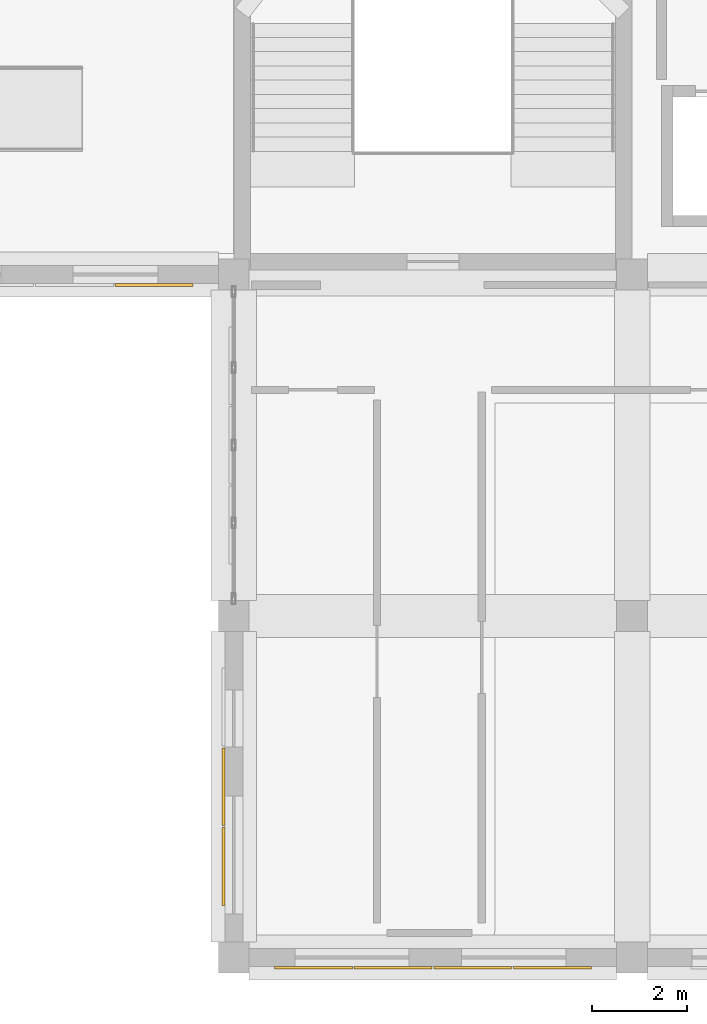
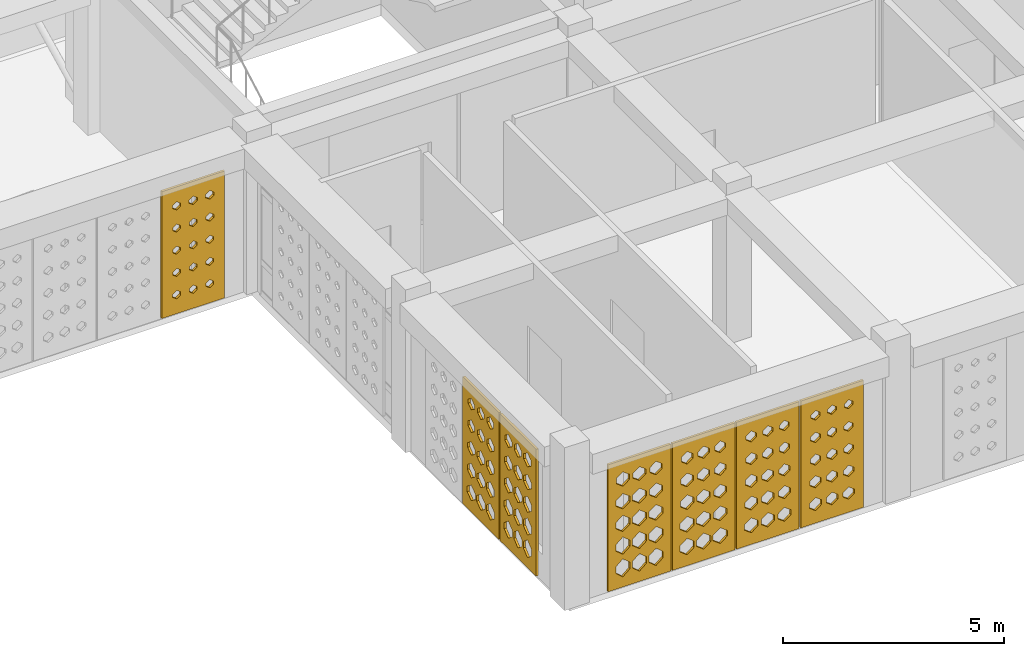
# One storey, part 53 of 79: 7 coverings.
"""IFC4 building model written with IfcOpenShell, lengths in metres."""

from ifc_helpers import new_model, si_unit, derived_unit, direction, frame, origin, place, context, subcontext, project, spatial, polyline, outline, extrude, material, layer, layer_set, type_object, element, save


model = new_model("IFC4")

# Units and contexts
model_context = context("Model", 3, precision=1e-05, world=origin(), true_north=direction((0.0, 1.0)))
body_context = subcontext(model_context, "Body", "Model", "MODEL_VIEW")
ifc_project = project(units=[si_unit("LENGTHUNIT", "METRE"), si_unit("AREAUNIT", "SQUARE_METRE"), si_unit("VOLUMEUNIT", "CUBIC_METRE"), si_unit("PLANEANGLEUNIT", "RADIAN"), si_unit("MASSUNIT", "GRAM", prefix="KILO"), derived_unit("THERMALTRANSMITTANCEUNIT", [(si_unit("POWERUNIT", "WATT"), 1), (si_unit("LENGTHUNIT", "METRE"), -2), (si_unit("THERMODYNAMICTEMPERATUREUNIT", "KELVIN"), -1)])], contexts=[model_context])

# Site, building, storey
site_placement = place(None, origin())
site = spatial("IfcSite", under=ifc_project, at=site_placement, CompositionType="ELEMENT")
building_placement = place(site_placement, origin())
building = spatial("IfcBuilding", under=site, at=building_placement, Name="Veybourne Emporium", CompositionType="ELEMENT")
storey_placement = place(building_placement, frame((0.0, 0.0, 18.89990234375)))
storey = spatial("IfcBuildingStorey", under=building, at=storey_placement, Name="L04", CompositionType="ELEMENT", Elevation=18.89990234375)

# Coverings
ifc_material = material(Name="Warm-White Perforated Aluminium Screen Alloy", Category="aluminium")
ifc_layer_1 = layer(ifc_material, 0.06005859375)
ifc_layer_set_1 = layer_set([ifc_layer_1], Name="Warm-White Perforated Aluminium Screen Alloy")
covering_type_1 = type_object("IfcCoveringType", Name="WaveScreen_SCR-01", PredefinedType="CLADDING", material=ifc_layer_set_1)
covering_1_placement = place(storey_placement, frame((21.840087890625, -0.248046875, 1.815185546875), z_axis=(0.0, 1.0, 0.0), x_axis=(-1.0, 0.0, 0.0)))
element("IfcCovering", 1, at=covering_1_placement, inside=storey, type_object=covering_type_1, Name="L04 wave-perforated aluminium screen SCR-01 (10.2)", PredefinedType="CLADDING", context=body_context, shape_type="SweptSolid", body=[
    extrude(outline(polyline([(-0.81982421875, -1.7548828125), (0.81982421875, -1.7548828125), (0.81982421875, 1.7548828125), (-0.81982421875, 1.7548828125), (-0.81982421875, -1.7548828125)]), holes=[polyline([(-0.433349609375, -1.03564453125), (-0.265869140625, -1.15869140625), (-0.265869140625, -1.29736328125), (-0.433349609375, -1.42041015625), (-0.6005859375, -1.29736328125), (-0.6005859375, -1.15869140625), (-0.433349609375, -1.03564453125)]), polyline([(-0.433349609375, -0.435791015625), (-0.277587890625, -0.5498046875), (-0.277587890625, -0.67822265625), (-0.433349609375, -0.792236328125), (-0.589111328125, -0.67822265625), (-0.589111328125, -0.5498046875), (-0.433349609375, -0.435791015625)]), polyline([(-0.433349609375, 0.16455078125), (-0.288818359375, 0.05908203125), (-0.288818359375, -0.05908203125), (-0.433349609375, -0.16455078125), (-0.577880859375, -0.05908203125), (-0.577880859375, 0.05908203125), (-0.433349609375, 0.16455078125)]), polyline([(-0.433349609375, 0.765625), (-0.29931640625, 0.668701171875), (-0.29931640625, 0.559326171875), (-0.433349609375, 0.46240234375), (-0.5673828125, 0.559326171875), (-0.5673828125, 0.668701171875), (-0.433349609375, 0.765625)]), polyline([(-0.433349609375, 1.367919921875), (-0.308837890625, 1.2783203125), (-0.308837890625, 1.177490234375), (-0.433349609375, 1.087890625), (-0.557861328125, 1.177490234375), (-0.557861328125, 1.2783203125), (-0.433349609375, 1.367919921875)]), polyline([(0.0, -1.029296875), (0.172607421875, -1.156494140625), (0.172607421875, -1.299560546875), (0.0, -1.4267578125), (-0.172607421875, -1.299560546875), (-0.172607421875, -1.156494140625), (0.0, -1.029296875)]), polyline([(0.0, -0.429443359375), (0.1611328125, -0.547607421875), (0.1611328125, -0.680419921875), (0.0, -0.798583984375), (-0.1611328125, -0.680419921875), (-0.1611328125, -0.547607421875), (0.0, -0.429443359375)]), polyline([(0.0, 0.170654296875), (0.149658203125, 0.0615234375), (0.149658203125, -0.0615234375), (0.0, -0.170654296875), (-0.149658203125, -0.0615234375), (-0.149658203125, 0.0615234375), (0.0, 0.170654296875)]), polyline([(0.0, 0.771484375), (0.138916015625, 0.670654296875), (0.138916015625, 0.557373046875), (0.0, 0.45654296875), (-0.138916015625, 0.557373046875), (-0.138916015625, 0.670654296875), (0.0, 0.771484375)]), polyline([(0.0, 1.373291015625), (0.12890625, 1.2802734375), (0.12890625, 1.17578125), (0.0, 1.082763671875), (-0.12890625, 1.17578125), (-0.12890625, 1.2802734375), (0.0, 1.373291015625)]), polyline([(0.433349609375, -1.022705078125), (0.611083984375, -1.154052734375), (0.611083984375, -1.302001953125), (0.433349609375, -1.43310546875), (0.25537109375, -1.302001953125), (0.25537109375, -1.154052734375), (0.433349609375, -1.022705078125)]), polyline([(0.433349609375, -0.4228515625), (0.599609375, -0.545166015625), (0.599609375, -0.682861328125), (0.433349609375, -0.80517578125), (0.26708984375, -0.682861328125), (0.26708984375, -0.545166015625), (0.433349609375, -0.4228515625)]), polyline([(0.433349609375, 0.177001953125), (0.588134765625, 0.063720703125), (0.588134765625, -0.063720703125), (0.433349609375, -0.177001953125), (0.278564453125, -0.063720703125), (0.278564453125, 0.063720703125), (0.433349609375, 0.177001953125)]), polyline([(0.433349609375, 0.77734375), (0.576904296875, 0.6728515625), (0.576904296875, 0.55517578125), (0.433349609375, 0.45068359375), (0.289794921875, 0.55517578125), (0.289794921875, 0.6728515625), (0.433349609375, 0.77734375)]), polyline([(0.433349609375, 1.378662109375), (0.56640625, 1.2822265625), (0.56640625, 1.173828125), (0.433349609375, 1.077392578125), (0.300048828125, 1.173828125), (0.300048828125, 1.2822265625), (0.433349609375, 1.378662109375)])]), origin(), (0.0, 0.0, 1.0), 0.06005859375),
])
covering_2_placement = place(storey_placement, frame((16.552001953125, 1.919921875, 1.815185546875), z_axis=(1.0, 0.0, 0.0), x_axis=(0.0, 1.0, 0.0)))
element("IfcCovering", 2, at=covering_2_placement, inside=storey, type_object=covering_type_1, Name="L04 wave-perforated aluminium screen SCR-01 (11.1)", PredefinedType="CLADDING", context=body_context, shape_type="SweptSolid", body=[
    extrude(outline(polyline([(-0.81982421875, -1.7548828125), (0.81982421875, -1.7548828125), (0.81982421875, 1.7548828125), (-0.81982421875, 1.7548828125), (-0.81982421875, -1.7548828125)]), holes=[polyline([(-0.433349609375, -0.981201171875), (-0.2470703125, -1.13916015625), (-0.2470703125, -1.31689453125), (-0.433349609375, -1.474609375), (-0.61962890625, -1.31689453125), (-0.61962890625, -1.13916015625), (-0.433349609375, -0.981201171875)]), polyline([(-0.433349609375, -0.37890625), (-0.2470703125, -0.529296875), (-0.2470703125, -0.69873046875), (-0.433349609375, -0.84912109375), (-0.61962890625, -0.69873046875), (-0.61962890625, -0.529296875), (-0.433349609375, -0.37890625)]), polyline([(-0.433349609375, 0.222412109375), (-0.2470703125, 0.080078125), (-0.2470703125, -0.080078125), (-0.433349609375, -0.222412109375), (-0.61962890625, -0.080078125), (-0.61962890625, 0.080078125), (-0.433349609375, 0.222412109375)]), polyline([(-0.433349609375, 0.822998046875), (-0.25244140625, 0.689208984375), (-0.25244140625, 0.538818359375), (-0.433349609375, 0.405029296875), (-0.6142578125, 0.538818359375), (-0.6142578125, 0.689208984375), (-0.433349609375, 0.822998046875)]), polyline([(-0.433349609375, 1.4228515625), (-0.263916015625, 1.298095703125), (-0.263916015625, 1.157958984375), (-0.433349609375, 1.033203125), (-0.602783203125, 1.157958984375), (-0.602783203125, 1.298095703125), (-0.433349609375, 1.4228515625)]), polyline([(0.0, -0.986328125), (0.186279296875, -1.14111328125), (0.186279296875, -1.31494140625), (0.0, -1.469482421875), (-0.186279296875, -1.31494140625), (-0.186279296875, -1.14111328125), (0.0, -0.986328125)]), polyline([(0.0, -0.384521484375), (0.186279296875, -0.531494140625), (0.186279296875, -0.696533203125), (0.0, -0.843505859375), (-0.186279296875, -0.696533203125), (-0.186279296875, -0.531494140625), (0.0, -0.384521484375)]), polyline([(0.0, 0.21630859375), (0.186279296875, 0.077880859375), (0.186279296875, -0.077880859375), (0.0, -0.21630859375), (-0.186279296875, -0.077880859375), (-0.186279296875, 0.077880859375), (0.0, 0.21630859375)]), polyline([(0.0, 0.816650390625), (0.17578125, 0.68701171875), (0.17578125, 0.541015625), (0.0, 0.411376953125), (-0.17578125, 0.541015625), (-0.17578125, 0.68701171875), (0.0, 0.816650390625)]), polyline([(0.0, 1.41650390625), (0.164306640625, 1.2958984375), (0.164306640625, 1.16015625), (0.0, 1.03955078125), (-0.164306640625, 1.16015625), (-0.164306640625, 1.2958984375), (0.0, 1.41650390625)]), polyline([(0.433349609375, -0.99169921875), (0.61962890625, -1.142822265625), (0.61962890625, -1.31298828125), (0.433349609375, -1.46435546875), (0.2470703125, -1.31298828125), (0.2470703125, -1.142822265625), (0.433349609375, -0.99169921875)]), polyline([(0.433349609375, -0.390380859375), (0.61962890625, -0.533447265625), (0.61962890625, -0.694580078125), (0.433349609375, -0.837646484375), (0.2470703125, -0.694580078125), (0.2470703125, -0.533447265625), (0.433349609375, -0.390380859375)]), polyline([(0.433349609375, 0.210205078125), (0.615234375, 0.07568359375), (0.615234375, -0.07568359375), (0.433349609375, -0.210205078125), (0.25146484375, -0.07568359375), (0.25146484375, 0.07568359375), (0.433349609375, 0.210205078125)]), polyline([(0.433349609375, 0.810302734375), (0.603759765625, 0.6845703125), (0.603759765625, 0.54345703125), (0.433349609375, 0.417724609375), (0.2626953125, 0.54345703125), (0.2626953125, 0.6845703125), (0.433349609375, 0.810302734375)]), polyline([(0.433349609375, 1.409912109375), (0.59228515625, 1.29345703125), (0.59228515625, 1.16259765625), (0.433349609375, 1.0458984375), (0.2744140625, 1.16259765625), (0.2744140625, 1.29345703125), (0.433349609375, 1.409912109375)])]), origin(), (0.0, 0.0, 1.0), 0.06005859375),
])
ifc_layer_2 = layer(ifc_material, 0.06005859375)
ifc_layer_set_2 = layer_set([ifc_layer_2], Name="Warm-White Perforated Aluminium Screen Alloy")
covering_type_2 = type_object("IfcCoveringType", Name="WaveScreen_SCR-02", PredefinedType="CLADDING", material=ifc_layer_set_2)
covering_3_placement = place(storey_placement, frame((15.1201171875, 14.15185546875, 1.815185546875), z_axis=(0.0, 1.0, 0.0), x_axis=(-1.0, 0.0, 0.0)))
element("IfcCovering", 3, at=covering_3_placement, inside=storey, type_object=covering_type_2, Name="L04 wave-perforated aluminium screen SCR-02 (8.1)", PredefinedType="CLADDING", context=body_context, shape_type="SweptSolid", body=[
    extrude(outline(polyline([(-0.81982421875, -1.7548828125), (0.81982421875, -1.7548828125), (0.81982421875, 1.7548828125), (-0.81982421875, 1.7548828125), (-0.81982421875, -1.7548828125)]), holes=[polyline([(-0.433349609375, -1.11669921875), (-0.332275390625, -1.18798828125), (-0.332275390625, -1.26806640625), (-0.433349609375, -1.33935546875), (-0.534423828125, -1.26806640625), (-0.534423828125, -1.18798828125), (-0.433349609375, -1.11669921875)]), polyline([(-0.433349609375, -0.50390625), (-0.333251953125, -0.574462890625), (-0.333251953125, -0.653564453125), (-0.433349609375, -0.72412109375), (-0.533203125, -0.653564453125), (-0.533203125, -0.574462890625), (-0.433349609375, -0.50390625)]), polyline([(-0.433349609375, 0.111083984375), (-0.33251953125, 0.0400390625), (-0.33251953125, -0.0400390625), (-0.433349609375, -0.111083984375), (-0.5341796875, -0.0400390625), (-0.5341796875, 0.0400390625), (-0.433349609375, 0.111083984375)]), polyline([(-0.433349609375, 0.728515625), (-0.32958984375, 0.6552734375), (-0.32958984375, 0.57275390625), (-0.433349609375, 0.49951171875), (-0.537109375, 0.57275390625), (-0.537109375, 0.6552734375), (-0.433349609375, 0.728515625)]), polyline([(-0.433349609375, 1.34814453125), (-0.324951171875, 1.271240234375), (-0.324951171875, 1.184814453125), (-0.433349609375, 1.10791015625), (-0.54150390625, 1.184814453125), (-0.54150390625, 1.271240234375), (-0.433349609375, 1.34814453125)]), polyline([(0.0, -1.114990234375), (0.102294921875, -1.1875), (0.102294921875, -1.2685546875), (0.0, -1.3408203125), (-0.102294921875, -1.2685546875), (-0.102294921875, -1.1875), (0.0, -1.114990234375)]), polyline([(0.0, -0.503662109375), (0.100341796875, -0.57421875), (0.100341796875, -0.65380859375), (0.0, -0.724365234375), (-0.100341796875, -0.65380859375), (-0.100341796875, -0.57421875), (0.0, -0.503662109375)]), polyline([(0.0, 0.1103515625), (0.10009765625, 0.039794921875), (0.10009765625, -0.039794921875), (0.0, -0.1103515625), (-0.10009765625, -0.039794921875), (-0.10009765625, 0.039794921875), (0.0, 0.1103515625)]), polyline([(0.0, 0.7265625), (0.10205078125, 0.654541015625), (0.10205078125, 0.573486328125), (0.0, 0.50146484375), (-0.10205078125, 0.573486328125), (-0.10205078125, 0.654541015625), (0.0, 0.7265625)]), polyline([(0.0, 1.34521484375), (0.10595703125, 1.270263671875), (0.10595703125, 1.185791015625), (0.0, 1.110595703125), (-0.10595703125, 1.185791015625), (-0.10595703125, 1.270263671875), (0.0, 1.34521484375)]), polyline([(0.433349609375, -1.11328125), (0.537353515625, -1.186767578125), (0.537353515625, -1.269287109375), (0.433349609375, -1.3427734375), (0.329345703125, -1.269287109375), (0.329345703125, -1.186767578125), (0.433349609375, -1.11328125)]), polyline([(0.433349609375, -0.502685546875), (0.5341796875, -0.573974609375), (0.5341796875, -0.654052734375), (0.433349609375, -0.72509765625), (0.332275390625, -0.654052734375), (0.332275390625, -0.573974609375), (0.433349609375, -0.502685546875)]), polyline([(0.433349609375, 0.110107421875), (0.533203125, 0.03955078125), (0.533203125, -0.03955078125), (0.433349609375, -0.110107421875), (0.333251953125, -0.03955078125), (0.333251953125, 0.03955078125), (0.433349609375, 0.110107421875)]), polyline([(0.433349609375, 0.72509765625), (0.5341796875, 0.654052734375), (0.5341796875, 0.573974609375), (0.433349609375, 0.502685546875), (0.332275390625, 0.573974609375), (0.332275390625, 0.654052734375), (0.433349609375, 0.72509765625)]), polyline([(0.433349609375, 1.343017578125), (0.537353515625, 1.269287109375), (0.537353515625, 1.186767578125), (0.433349609375, 1.113037109375), (0.329345703125, 1.186767578125), (0.329345703125, 1.269287109375), (0.433349609375, 1.343017578125)])]), origin(), (0.0, 0.0, 1.0), 0.06005859375),
])
covering_4_placement = place(storey_placement, frame((20.159912109375, -0.248046875, 1.815185546875), z_axis=(0.0, 1.0, 0.0), x_axis=(-1.0, 0.0, 0.0)))
element("IfcCovering", 4, at=covering_4_placement, inside=storey, type_object=covering_type_2, Name="L04 wave-perforated aluminium screen SCR-02 (10.3)", PredefinedType="CLADDING", context=body_context, shape_type="SweptSolid", body=[
    extrude(outline(polyline([(-0.81982421875, -1.7548828125), (0.81982421875, -1.7548828125), (0.81982421875, 1.7548828125), (-0.81982421875, 1.7548828125), (-0.81982421875, -1.7548828125)]), holes=[polyline([(-0.433349609375, -1.010986328125), (-0.2470703125, -1.14990234375), (-0.2470703125, -1.30615234375), (-0.433349609375, -1.44482421875), (-0.61962890625, -1.30615234375), (-0.61962890625, -1.14990234375), (-0.433349609375, -1.010986328125)]), polyline([(-0.433349609375, -0.410888671875), (-0.257080078125, -0.541015625), (-0.257080078125, -0.68701171875), (-0.433349609375, -0.817138671875), (-0.609619140625, -0.68701171875), (-0.609619140625, -0.541015625), (-0.433349609375, -0.410888671875)]), polyline([(-0.433349609375, 0.18896484375), (-0.268798828125, 0.068115234375), (-0.268798828125, -0.068115234375), (-0.433349609375, -0.18896484375), (-0.597900390625, -0.068115234375), (-0.597900390625, 0.068115234375), (-0.433349609375, 0.18896484375)]), polyline([(-0.433349609375, 0.788818359375), (-0.2802734375, 0.677001953125), (-0.2802734375, 0.551025390625), (-0.433349609375, 0.439208984375), (-0.58642578125, 0.551025390625), (-0.58642578125, 0.677001953125), (-0.433349609375, 0.788818359375)]), polyline([(-0.433349609375, 1.389404296875), (-0.291259765625, 1.2861328125), (-0.291259765625, 1.169921875), (-0.433349609375, 1.066650390625), (-0.575439453125, 1.169921875), (-0.575439453125, 1.2861328125), (-0.433349609375, 1.389404296875)]), polyline([(0.0, -1.0048828125), (0.186279296875, -1.147705078125), (0.186279296875, -1.308349609375), (0.0, -1.450927734375), (-0.186279296875, -1.308349609375), (-0.186279296875, -1.147705078125), (0.0, -1.0048828125)]), polyline([(0.0, -0.404541015625), (0.181396484375, -0.53857421875), (0.181396484375, -0.689453125), (0.0, -0.823486328125), (-0.181396484375, -0.689453125), (-0.181396484375, -0.53857421875), (0.0, -0.404541015625)]), polyline([(0.0, 0.1953125), (0.169921875, 0.0703125), (0.169921875, -0.0703125), (0.0, -0.1953125), (-0.169921875, -0.0703125), (-0.169921875, 0.0703125), (0.0, 0.1953125)]), polyline([(0.0, 0.795166015625), (0.158203125, 0.67919921875), (0.158203125, 0.548828125), (0.0, 0.432861328125), (-0.158203125, 0.548828125), (-0.158203125, 0.67919921875), (0.0, 0.795166015625)]), polyline([(0.0, 1.3955078125), (0.14697265625, 1.288330078125), (0.14697265625, 1.167724609375), (0.0, 1.060546875), (-0.14697265625, 1.167724609375), (-0.14697265625, 1.288330078125), (0.0, 1.3955078125)]), polyline([(0.433349609375, -0.9990234375), (0.61962890625, -1.1455078125), (0.61962890625, -1.310302734375), (0.433349609375, -1.456787109375), (0.2470703125, -1.310302734375), (0.2470703125, -1.1455078125), (0.433349609375, -0.9990234375)]), polyline([(0.433349609375, -0.398193359375), (0.61962890625, -0.536376953125), (0.61962890625, -0.691650390625), (0.433349609375, -0.82958984375), (0.2470703125, -0.691650390625), (0.2470703125, -0.536376953125), (0.433349609375, -0.398193359375)]), polyline([(0.433349609375, 0.201904296875), (0.6083984375, 0.072509765625), (0.6083984375, -0.072509765625), (0.433349609375, -0.201904296875), (0.25830078125, -0.072509765625), (0.25830078125, 0.072509765625), (0.433349609375, 0.201904296875)]), polyline([(0.433349609375, 0.801513671875), (0.596923828125, 0.681640625), (0.596923828125, 0.54638671875), (0.433349609375, 0.426513671875), (0.269775390625, 0.54638671875), (0.269775390625, 0.681640625), (0.433349609375, 0.801513671875)]), polyline([(0.433349609375, 1.401611328125), (0.58544921875, 1.29052734375), (0.58544921875, 1.16552734375), (0.433349609375, 1.054443359375), (0.28125, 1.16552734375), (0.28125, 1.29052734375), (0.433349609375, 1.401611328125)])]), origin(), (0.0, 0.0, 1.0), 0.06005859375),
])
covering_5_placement = place(storey_placement, frame((16.552001953125, 3.60009765625, 1.815185546875), z_axis=(1.0, 0.0, 0.0), x_axis=(0.0, 1.0, 0.0)))
element("IfcCovering", 5, at=covering_5_placement, inside=storey, type_object=covering_type_2, Name="L04 wave-perforated aluminium screen SCR-02 (11.2)", PredefinedType="CLADDING", context=body_context, shape_type="SweptSolid", body=[
    extrude(outline(polyline([(-0.81982421875, -1.7548828125), (0.81982421875, -1.7548828125), (0.81982421875, 1.7548828125), (-0.81982421875, 1.7548828125), (-0.81982421875, -1.7548828125)]), holes=[polyline([(-0.433349609375, -1.002197265625), (-0.2470703125, -1.146728515625), (-0.2470703125, -1.30908203125), (-0.433349609375, -1.45361328125), (-0.61962890625, -1.30908203125), (-0.61962890625, -1.146728515625), (-0.433349609375, -1.002197265625)]), polyline([(-0.433349609375, -0.40185546875), (-0.249755859375, -0.53759765625), (-0.249755859375, -0.6904296875), (-0.433349609375, -0.826171875), (-0.616943359375, -0.6904296875), (-0.616943359375, -0.53759765625), (-0.433349609375, -0.40185546875)]), polyline([(-0.433349609375, 0.1982421875), (-0.260986328125, 0.0712890625), (-0.260986328125, -0.0712890625), (-0.433349609375, -0.1982421875), (-0.60546875, -0.0712890625), (-0.60546875, 0.0712890625), (-0.433349609375, 0.1982421875)]), polyline([(-0.433349609375, 0.798095703125), (-0.272705078125, 0.680419921875), (-0.272705078125, 0.547607421875), (-0.433349609375, 0.429931640625), (-0.593994140625, 0.547607421875), (-0.593994140625, 0.680419921875), (-0.433349609375, 0.798095703125)]), polyline([(-0.433349609375, 1.398193359375), (-0.2841796875, 1.289306640625), (-0.2841796875, 1.166748046875), (-0.433349609375, 1.057861328125), (-0.58251953125, 1.166748046875), (-0.58251953125, 1.289306640625), (-0.433349609375, 1.398193359375)]), polyline([(0.0, -1.00830078125), (0.186279296875, -1.14892578125), (0.186279296875, -1.30712890625), (0.0, -1.44775390625), (-0.186279296875, -1.30712890625), (-0.186279296875, -1.14892578125), (0.0, -1.00830078125)]), polyline([(0.0, -0.408203125), (0.178466796875, -0.539794921875), (0.178466796875, -0.68798828125), (0.0, -0.81982421875), (-0.178466796875, -0.68798828125), (-0.178466796875, -0.539794921875), (0.0, -0.408203125)]), polyline([(0.0, 0.19189453125), (0.1669921875, 0.069091796875), (0.1669921875, -0.069091796875), (0.0, -0.19189453125), (-0.1669921875, -0.069091796875), (-0.1669921875, 0.069091796875), (0.0, 0.19189453125)]), polyline([(0.0, 0.791748046875), (0.155517578125, 0.677978515625), (0.155517578125, 0.550048828125), (0.0, 0.436279296875), (-0.155517578125, 0.550048828125), (-0.155517578125, 0.677978515625), (0.0, 0.791748046875)]), polyline([(0.0, 1.39208984375), (0.144287109375, 1.287109375), (0.144287109375, 1.1689453125), (0.0, 1.06396484375), (-0.144287109375, 1.1689453125), (-0.144287109375, 1.287109375), (0.0, 1.39208984375)]), polyline([(0.433349609375, -1.014404296875), (0.617919921875, -1.151123046875), (0.617919921875, -1.304931640625), (0.433349609375, -1.44140625), (0.24853515625, -1.304931640625), (0.24853515625, -1.151123046875), (0.433349609375, -1.014404296875)]), polyline([(0.433349609375, -0.414306640625), (0.606689453125, -0.542236328125), (0.606689453125, -0.685791015625), (0.433349609375, -0.813720703125), (0.260009765625, -0.685791015625), (0.260009765625, -0.542236328125), (0.433349609375, -0.414306640625)]), polyline([(0.433349609375, 0.185302734375), (0.594970703125, 0.066650390625), (0.594970703125, -0.066650390625), (0.433349609375, -0.185302734375), (0.271484375, -0.066650390625), (0.271484375, 0.066650390625), (0.433349609375, 0.185302734375)]), polyline([(0.433349609375, 0.785400390625), (0.58349609375, 0.67578125), (0.58349609375, 0.55224609375), (0.433349609375, 0.442626953125), (0.283203125, 0.55224609375), (0.283203125, 0.67578125), (0.433349609375, 0.785400390625)]), polyline([(0.433349609375, 1.385986328125), (0.57275390625, 1.284912109375), (0.57275390625, 1.171142578125), (0.433349609375, 1.06982421875), (0.2939453125, 1.171142578125), (0.2939453125, 1.284912109375), (0.433349609375, 1.385986328125)])]), origin(), (0.0, 0.0, 1.0), 0.06005859375),
])
ifc_layer_3 = layer(ifc_material, 0.06005859375)
ifc_layer_set_3 = layer_set([ifc_layer_3], Name="Warm-White Perforated Aluminium Screen Alloy")
covering_type_3 = type_object("IfcCoveringType", Name="WaveScreen_SCR-03", PredefinedType="CLADDING", material=ifc_layer_set_3)
covering_6_placement = place(storey_placement, frame((18.47998046875, -0.248046875, 1.815185546875), z_axis=(0.0, 1.0, 0.0), x_axis=(-1.0, 0.0, 0.0)))
element("IfcCovering", 6, at=covering_6_placement, inside=storey, type_object=covering_type_3, Name="L04 wave-perforated aluminium screen SCR-03 (10.4)", PredefinedType="CLADDING", context=body_context, shape_type="SweptSolid", body=[
    extrude(outline(polyline([(-0.81982421875, -1.7548828125), (0.81982421875, -1.7548828125), (0.81982421875, 1.7548828125), (-0.81982421875, 1.7548828125), (-0.81982421875, -1.7548828125)]), holes=[polyline([(-0.433349609375, -0.98876953125), (-0.2470703125, -1.141845703125), (-0.2470703125, -1.314208984375), (-0.433349609375, -1.46728515625), (-0.61962890625, -1.314208984375), (-0.61962890625, -1.141845703125), (-0.433349609375, -0.98876953125)]), polyline([(-0.433349609375, -0.386962890625), (-0.2470703125, -0.5322265625), (-0.2470703125, -0.69580078125), (-0.433349609375, -0.841064453125), (-0.61962890625, -0.69580078125), (-0.61962890625, -0.5322265625), (-0.433349609375, -0.386962890625)]), polyline([(-0.433349609375, 0.213623046875), (-0.24853515625, 0.076904296875), (-0.24853515625, -0.076904296875), (-0.433349609375, -0.213623046875), (-0.6181640625, -0.076904296875), (-0.6181640625, 0.076904296875), (-0.433349609375, 0.213623046875)]), polyline([(-0.433349609375, 0.813720703125), (-0.260009765625, 0.685791015625), (-0.260009765625, 0.5419921875), (-0.433349609375, 0.414306640625), (-0.606689453125, 0.5419921875), (-0.606689453125, 0.685791015625), (-0.433349609375, 0.813720703125)]), polyline([(-0.433349609375, 1.41357421875), (-0.271484375, 1.294921875), (-0.271484375, 1.1611328125), (-0.433349609375, 1.04248046875), (-0.59521484375, 1.1611328125), (-0.59521484375, 1.294921875), (-0.433349609375, 1.41357421875)]), polyline([(0.0, -0.9833984375), (0.186279296875, -1.139892578125), (0.186279296875, -1.31591796875), (0.0, -1.472412109375), (-0.186279296875, -1.31591796875), (-0.186279296875, -1.139892578125), (0.0, -0.9833984375)]), polyline([(0.0, -0.38134765625), (0.186279296875, -0.5302734375), (0.186279296875, -0.69775390625), (0.0, -0.8466796875), (-0.186279296875, -0.69775390625), (-0.186279296875, -0.5302734375), (0.0, -0.38134765625)]), polyline([(0.0, 0.2197265625), (0.186279296875, 0.0791015625), (0.186279296875, -0.0791015625), (0.0, -0.2197265625), (-0.186279296875, -0.0791015625), (-0.186279296875, 0.0791015625), (0.0, 0.2197265625)]), polyline([(0.0, 0.820068359375), (0.1787109375, 0.688232421875), (0.1787109375, 0.539794921875), (0.0, 0.407958984375), (-0.1787109375, 0.539794921875), (-0.1787109375, 0.688232421875), (0.0, 0.820068359375)]), polyline([(0.0, 1.419921875), (0.1669921875, 1.297119140625), (0.1669921875, 1.158935546875), (0.0, 1.035888671875), (-0.1669921875, 1.158935546875), (-0.1669921875, 1.297119140625), (0.0, 1.419921875)]), polyline([(0.433349609375, -0.978759765625), (0.61962890625, -1.13818359375), (0.61962890625, -1.317626953125), (0.433349609375, -1.477294921875), (0.2470703125, -1.317626953125), (0.2470703125, -1.13818359375), (0.433349609375, -0.978759765625)]), polyline([(0.433349609375, -0.375732421875), (0.61962890625, -0.5283203125), (0.61962890625, -0.69970703125), (0.433349609375, -0.852294921875), (0.2470703125, -0.69970703125), (0.2470703125, -0.5283203125), (0.433349609375, -0.375732421875)]), polyline([(0.433349609375, 0.225830078125), (0.61962890625, 0.081298828125), (0.61962890625, -0.081298828125), (0.433349609375, -0.225830078125), (0.2470703125, -0.081298828125), (0.2470703125, 0.081298828125), (0.433349609375, 0.225830078125)]), polyline([(0.433349609375, 0.826416015625), (0.6171875, 0.6904296875), (0.6171875, 0.53759765625), (0.433349609375, 0.401611328125), (0.24951171875, 0.53759765625), (0.24951171875, 0.6904296875), (0.433349609375, 0.826416015625)]), polyline([(0.433349609375, 1.426513671875), (0.605712890625, 1.29931640625), (0.605712890625, 1.156494140625), (0.433349609375, 1.029541015625), (0.260986328125, 1.156494140625), (0.260986328125, 1.29931640625), (0.433349609375, 1.426513671875)])]), origin(), (0.0, 0.0, 1.0), 0.06005859375),
])
ifc_layer_4 = layer(ifc_material, 0.06005859375)
ifc_layer_set_4 = layer_set([ifc_layer_4], Name="Warm-White Perforated Aluminium Screen Alloy")
covering_type_4 = type_object("IfcCoveringType", Name="WaveScreen_SCR-04", PredefinedType="CLADDING", material=ifc_layer_set_4)
covering_7_placement = place(storey_placement, frame((23.52001953125, -0.248046875, 1.815185546875), z_axis=(0.0, 1.0, 0.0), x_axis=(-1.0, 0.0, 0.0)))
element("IfcCovering", 7, at=covering_7_placement, inside=storey, type_object=covering_type_4, Name="L04 wave-perforated aluminium screen SCR-04 (10.1)", PredefinedType="CLADDING", context=body_context, shape_type="SweptSolid", body=[
    extrude(outline(polyline([(-0.81982421875, -1.7548828125), (0.81982421875, -1.7548828125), (0.81982421875, 1.7548828125), (-0.81982421875, 1.7548828125), (-0.81982421875, -1.7548828125)]), holes=[polyline([(-0.433349609375, -1.060302734375), (-0.285888671875, -1.16748046875), (-0.285888671875, -1.288330078125), (-0.433349609375, -1.395751953125), (-0.58056640625, -1.288330078125), (-0.58056640625, -1.16748046875), (-0.433349609375, -1.060302734375)]), polyline([(-0.433349609375, -0.459228515625), (-0.296875, -0.558349609375), (-0.296875, -0.669677734375), (-0.433349609375, -0.768798828125), (-0.56982421875, -0.669677734375), (-0.56982421875, -0.558349609375), (-0.433349609375, -0.459228515625)]), polyline([(-0.433349609375, 0.142578125), (-0.306640625, 0.051513671875), (-0.306640625, -0.051513671875), (-0.433349609375, -0.142578125), (-0.56005859375, -0.051513671875), (-0.56005859375, 0.051513671875), (-0.433349609375, 0.142578125)]), polyline([(-0.433349609375, 0.74609375), (-0.315185546875, 0.66162109375), (-0.315185546875, 0.56640625), (-0.433349609375, 0.481689453125), (-0.551513671875, 0.56640625), (-0.551513671875, 0.66162109375), (-0.433349609375, 0.74609375)]), polyline([(-0.433349609375, 1.3515625), (-0.322265625, 1.2724609375), (-0.322265625, 1.18359375), (-0.433349609375, 1.1044921875), (-0.544189453125, 1.18359375), (-0.544189453125, 1.2724609375), (-0.433349609375, 1.3515625)]), polyline([(0.0, -1.053955078125), (0.15234375, -1.165283203125), (0.15234375, -1.29052734375), (0.0, -1.402099609375), (-0.15234375, -1.29052734375), (-0.15234375, -1.165283203125), (0.0, -1.053955078125)]), polyline([(0.0, -0.45361328125), (0.141357421875, -0.55615234375), (0.141357421875, -0.671875), (0.0, -0.7744140625), (-0.141357421875, -0.671875), (-0.141357421875, -0.55615234375), (0.0, -0.45361328125)]), polyline([(0.0, 0.14794921875), (0.131103515625, 0.05322265625), (0.131103515625, -0.05322265625), (0.0, -0.14794921875), (-0.131103515625, -0.05322265625), (-0.131103515625, 0.05322265625), (0.0, 0.14794921875)]), polyline([(0.0, 0.750732421875), (0.121826171875, 0.6630859375), (0.121826171875, 0.564697265625), (0.0, 0.477294921875), (-0.121826171875, 0.564697265625), (-0.121826171875, 0.6630859375), (0.0, 0.750732421875)]), polyline([(0.0, 1.355224609375), (0.114013671875, 1.273681640625), (0.114013671875, 1.18212890625), (0.0, 1.100830078125), (-0.114013671875, 1.18212890625), (-0.114013671875, 1.273681640625), (0.0, 1.355224609375)]), polyline([(0.433349609375, -1.047607421875), (0.5908203125, -1.1630859375), (0.5908203125, -1.29296875), (0.433349609375, -1.408203125), (0.27587890625, -1.29296875), (0.27587890625, -1.1630859375), (0.433349609375, -1.047607421875)]), polyline([(0.433349609375, -0.447509765625), (0.57958984375, -0.553955078125), (0.57958984375, -0.674072265625), (0.433349609375, -0.780517578125), (0.287109375, -0.674072265625), (0.287109375, -0.553955078125), (0.433349609375, -0.447509765625)]), polyline([(0.433349609375, 0.153564453125), (0.569091796875, 0.055419921875), (0.569091796875, -0.055419921875), (0.433349609375, -0.153564453125), (0.297607421875, -0.055419921875), (0.297607421875, 0.055419921875), (0.433349609375, 0.153564453125)]), polyline([(0.433349609375, 0.755615234375), (0.559326171875, 0.6650390625), (0.559326171875, 0.56298828125), (0.433349609375, 0.472412109375), (0.307373046875, 0.56298828125), (0.307373046875, 0.6650390625), (0.433349609375, 0.755615234375)]), polyline([(0.433349609375, 1.359375), (0.55078125, 1.275390625), (0.55078125, 1.1806640625), (0.433349609375, 1.0966796875), (0.31591796875, 1.1806640625), (0.31591796875, 1.275390625), (0.433349609375, 1.359375)])]), origin(), (0.0, 0.0, 1.0), 0.06005859375),
])

save(model, "model.ifc")
